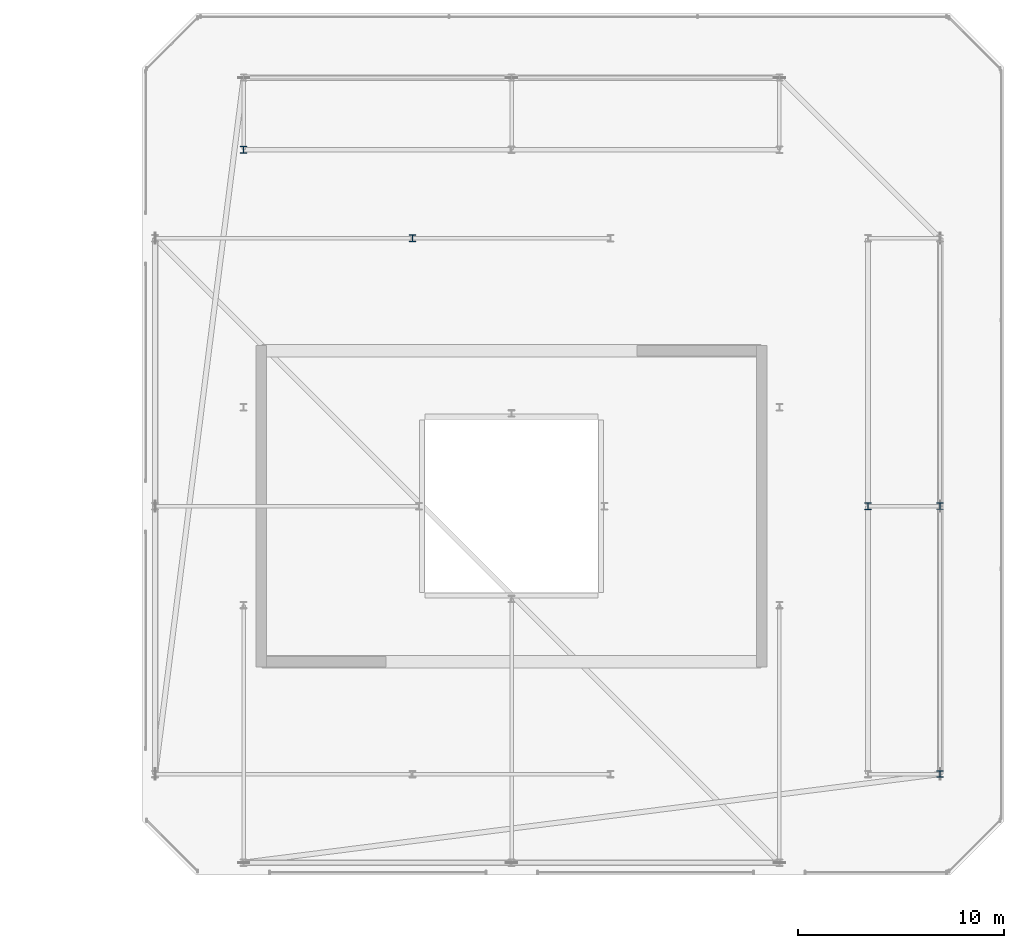
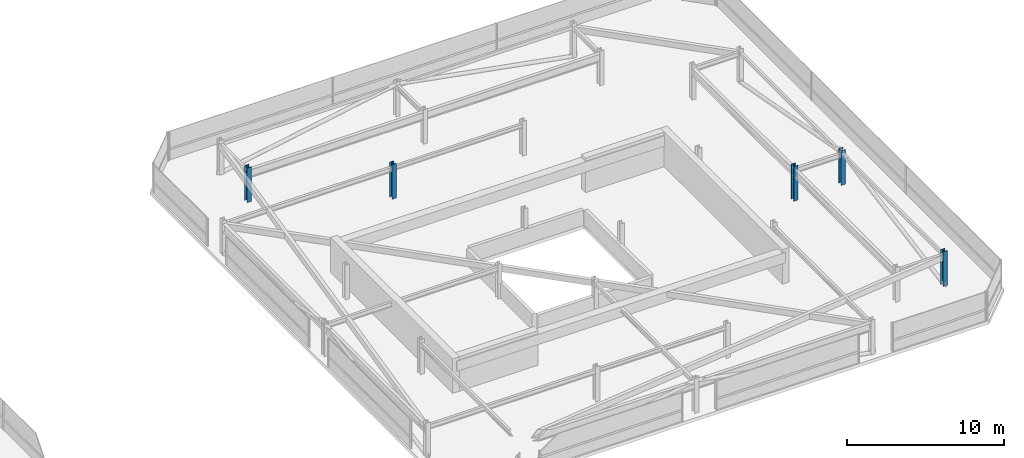
# One storey, part 5 of 42: 5 columns.
"""IFC4 building model written with IfcOpenShell, lengths in metres."""

from ifc_helpers import new_model, si_unit, direction, frame, origin, origin_2d, place, context, subcontext, project, spatial, i_section, extrude, material, material_profile, profile_set, type_object, element, save


model = new_model("IFC4")

# Units and contexts
model_context = context("Model", 3, precision=1e-05, world=origin(), true_north=direction((0.0, 1.0)))
body_context = subcontext(model_context, "Body", "Model", "MODEL_VIEW")
ifc_project = project(units=[si_unit("LENGTHUNIT", "METRE"), si_unit("AREAUNIT", "SQUARE_METRE"), si_unit("VOLUMEUNIT", "CUBIC_METRE"), si_unit("PLANEANGLEUNIT", "RADIAN"), si_unit("MASSUNIT", "GRAM", prefix="KILO")], contexts=[model_context])

# Site, building, storey
site_placement = place(None, origin())
site = spatial("IfcSite", under=ifc_project, at=site_placement, CompositionType="ELEMENT")
building_placement = place(site_placement, origin())
building = spatial("IfcBuilding", under=site, at=building_placement, Name="Thornwick Lancets Civic Towers", CompositionType="ELEMENT")
storey_placement = place(building_placement, frame((0.0, 0.0, 286.800048828125)))
storey = spatial("IfcBuildingStorey", under=building, at=storey_placement, Name="C03", CompositionType="ELEMENT", Elevation=286.800048828125)

# Columns
ifc_material = material(Name="Steel S355JR", Category="steel")
ifc_material_profile_1 = material_profile(ifc_material, i_section(OverallWidth=0.30908203125, OverallDepth=0.320556640625, WebThickness=0.013916015625, FlangeThickness=0.021728515625, FilletRadius=0.01513671875, at=origin_2d()), Name="UKC 305x305x137")
ifc_profile_set_1 = profile_set([ifc_material_profile_1], Name="Steel S355JR")
column_type_1 = type_object("IfcColumnType", Name="COL_UKC_137", PredefinedType="COLUMN", material=ifc_profile_set_1)
for number, where, z_axis, x_axis, name in (
    (1, (109.300048828125, 14.0, 0.0), (0.0, 0.0, 1.0), (1.0, 0.0, 0.0), "C03 Block Perimeter Column B01"),
    (2, (109.300048828125, 27.0, 0.0), (0.0, 0.0, 1.0), (1.0, 0.0, 0.0), "C03 Block Perimeter Column B02"),
):
    element("IfcColumn", number, at=place(storey_placement, frame(where, z_axis=z_axis, x_axis=x_axis)), inside=storey, type_object=column_type_1, Name=name, PredefinedType="COLUMN", context=body_context, shape_type="SweptSolid", body=[
        extrude(i_section(OverallWidth=0.30908203125, OverallDepth=0.320556640625, WebThickness=0.013916015625, FlangeThickness=0.021728515625, FilletRadius=0.01513671875, at=origin_2d()), origin(), (0.0, 0.0, 1.0), 2.699951171875),
    ])
ifc_material_profile_2 = material_profile(ifc_material, i_section(OverallWidth=0.314453125, OverallDepth=0.33984375, WebThickness=0.01904296875, FlangeThickness=0.031494140625, FilletRadius=0.01513671875, at=origin_2d()), Name="UKC 305x305x198")
ifc_profile_set_2 = profile_set([ifc_material_profile_2], Name="Steel S355JR")
column_type_2 = type_object("IfcColumnType", Name="COL_UKC_198", PredefinedType="COLUMN", material=ifc_profile_set_2)
for number, where, z_axis, x_axis, name in (
    (3, (105.800048828125, 27.0, 0.0), (0.0, 0.0, 1.0), (1.0, 0.0, 0.0), "C03 Spine Mega-Column B02"),
    (4, (75.5, 44.300048828125, 0.0), (0.0, 0.0, 1.0), (1.0, 0.0, 0.0), "C03 Spine Mega-Column B06"),
    (5, (83.699951171875, 40.0, 0.0), (0.0, 0.0, 1.0), (1.0, 0.0, 0.0), "C03 Spine Mega-Column B16"),
):
    element("IfcColumn", number, at=place(storey_placement, frame(where, z_axis=z_axis, x_axis=x_axis)), inside=storey, type_object=column_type_2, Name=name, PredefinedType="COLUMN", context=body_context, shape_type="SweptSolid", body=[
        extrude(i_section(OverallWidth=0.314453125, OverallDepth=0.33984375, WebThickness=0.01904296875, FlangeThickness=0.031494140625, FilletRadius=0.01513671875, at=origin_2d()), origin(), (0.0, 0.0, 1.0), 2.699951171875),
    ])

save(model, "model.ifc")
